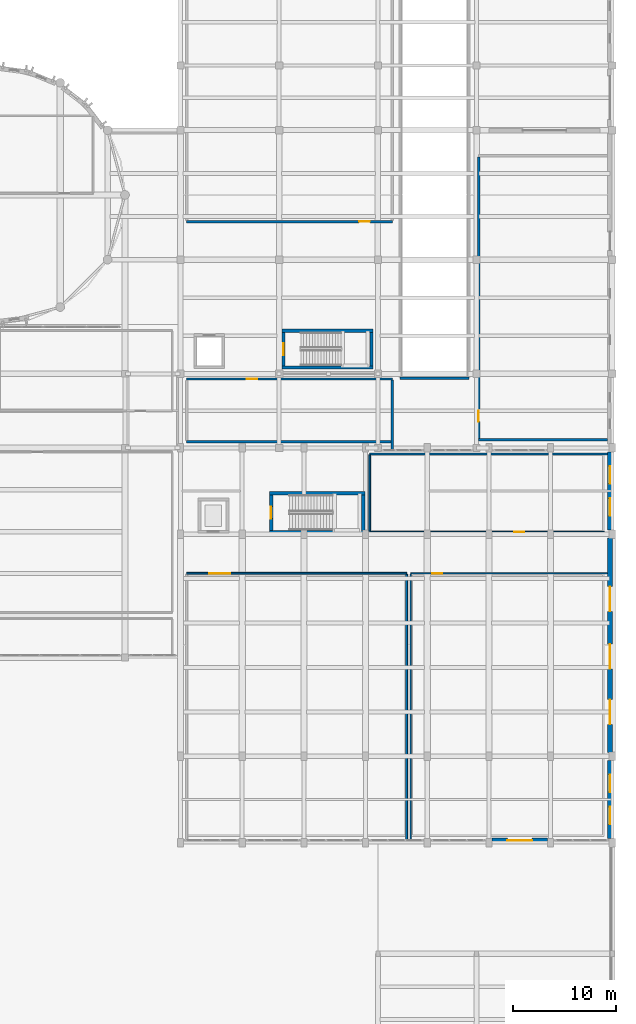
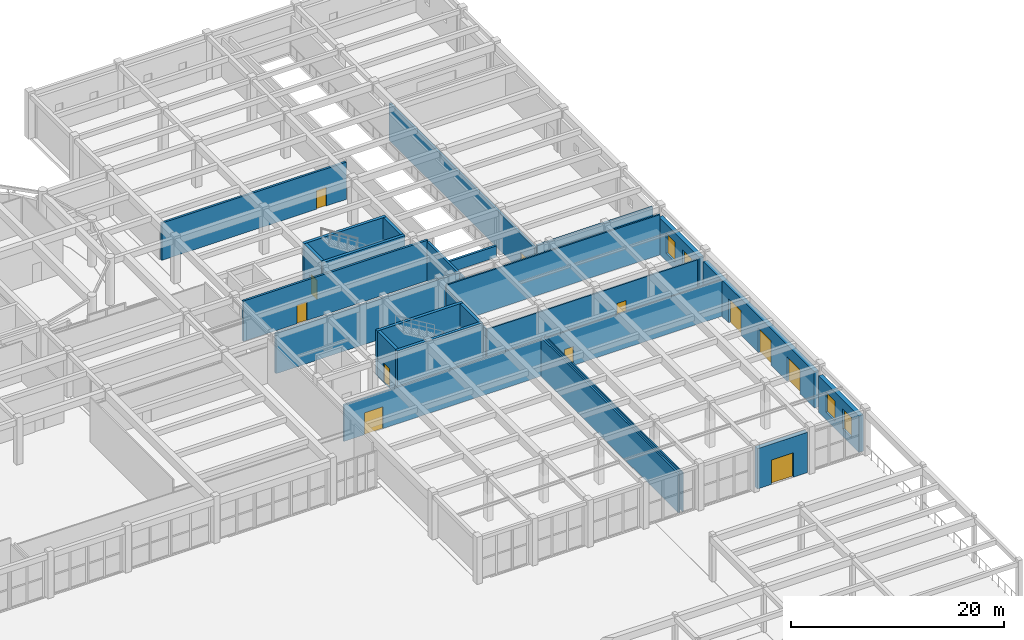
# One storey, part 76 of 98: 26 walls, 12 doors, 4 windows, 16 openings.
"""IFC4 building model written with IfcOpenShell, lengths in metres."""

from ifc_helpers import new_model, si_unit, direction, frame, frame_2d, origin, place, context, subcontext, project, spatial, rectangle, extrude, material, layer, layer_set, type_object, element, fill, save


model = new_model("IFC4")

# Units and contexts
model_context = context("Model", 3, precision=1e-05, world=origin(), true_north=direction((0.0, 1.0)))
body_context = subcontext(model_context, "Body", "Model", "MODEL_VIEW")
ifc_project = project(units=[si_unit("LENGTHUNIT", "METRE"), si_unit("AREAUNIT", "SQUARE_METRE"), si_unit("VOLUMEUNIT", "CUBIC_METRE"), si_unit("PLANEANGLEUNIT", "RADIAN"), si_unit("MASSUNIT", "GRAM", prefix="KILO")], contexts=[model_context])

# Site, building, storey
site_placement = place(None, origin())
site = spatial("IfcSite", under=ifc_project, at=site_placement, CompositionType="ELEMENT")
building_placement = place(site_placement, origin())
building = spatial("IfcBuilding", under=site, at=building_placement, Name="Tarnavel Promenade Courthouse", CompositionType="ELEMENT")
storey_placement = place(building_placement, origin())
storey = spatial("IfcBuildingStorey", under=building, at=storey_placement, Name="L01", CompositionType="ELEMENT", Elevation=0.0)

# Wall
ifc_material_1 = material(Name="Acoustic Insulated Gypsum Stud Partition", Category="gypsum")
ifc_layer_1 = layer(ifc_material_1, 0.1650390625)
ifc_layer_set_1 = layer_set([ifc_layer_1], Name="Acoustic Insulated Gypsum Stud Partition")
wall_type_1 = type_object("IfcWallType", Name="Acoustic Insulated Gypsum Stud Partition WL-CHM-165 (165 mm)", PredefinedType="PARTITIONING", material=ifc_layer_set_1)
wall_1_placement = place(storey_placement, frame((138.39990234375, 66.60009765625, 0.0), z_axis=(0.0, 0.0, 1.0), x_axis=(1.0, 0.0, 0.0)))
element("IfcWall", 1, at=wall_1_placement, inside=storey, type_object=wall_type_1, Name="L01 Ceremonial Protocol and Robing Suite Partition 0203", PredefinedType="PARTITIONING", context=body_context, shape_type="SweptSolid", body=[
    extrude(rectangle(XDim=23.1259765625, YDim=0.1650390625, at=frame_2d((11.56298828125, 0.0))), origin(), (0.0, 0.0, 1.0), 4.6201171875),
])

# Wall, opening, door
wall_2_placement = place(storey_placement, frame((161.199951171875, 59.0, 0.0), z_axis=(0.0, 0.0, 1.0), x_axis=(-1.0, 0.0, 0.0)))
wall_2 = element("IfcWall", 2, at=wall_2_placement, inside=storey, type_object=wall_type_1, Name="L01 Ceremonial Protocol and Robing Suite Partition 0204", PredefinedType="PARTITIONING", context=body_context, shape_type="SweptSolid", body=[
    extrude(rectangle(XDim=22.800048828125, YDim=0.1650390625, at=frame_2d((11.39990234375, 0.0))), origin(), (0.0, 0.0, 1.0), 4.169921875),
])
opening_1_placement = place(wall_2_placement, frame((7.741943359375, 0.0, 0.0)))
opening_1 = element("IfcOpeningElement", 3, at=opening_1_placement, cuts=wall_2, Name="Opening ID-04", PredefinedType="OPENING", context=body_context, shape_type="SweptSolid", body=[
    extrude(rectangle(XDim=0.97998046875, YDim=2.199951171875, at=frame_2d((0.489990234375, 1.10009765625))), frame((0.0, 0.092529296875, 0.0), z_axis=(0.0, -1.0, 0.0), x_axis=(1.0, 0.0, 0.0)), (0.0, 0.0, 1.0), 0.18505859375),
])
ifc_material_2 = material(Name="Solid Oak Judges Chambers Door")
door_type_1 = type_object("IfcDoorType", Name="Solid Oak Judges Chambers Door (DR-CHM-0980x2200)", OperationType="NOTDEFINED", PredefinedType="DOOR", material=ifc_material_2)
door_1_placement = place(opening_1_placement, origin())
door_1 = element("IfcDoor", 4, at=door_1_placement, inside=storey, type_object=door_type_1, Name="L01 Ceremonial Protocol and Robing Suite Door 0059", OperationType="SINGLE_SWING_LEFT", OverallHeight=2.199951171875, OverallWidth=0.97998046875, PredefinedType="DOOR", context=body_context, shape_type="SweptSolid", body=[
    extrude(rectangle(XDim=0.97998046875, YDim=2.199951171875, at=frame_2d((0.489990234375, 1.10009765625))), frame((0.0, 0.02490234375, 0.0), z_axis=(0.0, -1.0, 0.0), x_axis=(1.0, 0.0, 0.0)), (0.0, 0.0, 1.0), 0.050048828125),
])
fill(opening_1, door_1)

# Walls
wall_3_placement = place(storey_placement, frame((138.39990234375, 59.092529296875, 0.0), z_axis=(0.0, 0.0, 1.0), x_axis=(0.0, 1.0, 0.0)))
element("IfcWall", 5, at=wall_3_placement, inside=storey, type_object=wall_type_1, Name="L01 Ceremonial Protocol and Robing Suite Partition 0205", PredefinedType="PARTITIONING", context=body_context, shape_type="SweptSolid", body=[
    extrude(rectangle(XDim=7.4150390625, YDim=0.1650390625, at=frame_2d((3.70751953125, 0.0))), origin(), (0.0, 0.0, 1.0), 4.169921875),
])
ifc_material_3 = material(Name="Concrete C40/50", Category="concrete")
ifc_layer_2 = layer(ifc_material_3, 0.320068359375)
ifc_layer_set_2 = layer_set([ifc_layer_2], Name="Concrete C40/50")
wall_type_2 = type_object("IfcWallType", Name="Concrete C40/50 WL-SHR-320 (320 mm)", PredefinedType="SHEAR", material=ifc_layer_set_2)
for number, where, z_axis, x_axis, name in (
    (6, (129.860107421875, 78.580078125, 0.0), (0.0, 0.0, 1.0), (1.0, 0.0, 0.0), "L01 ST-06 Shear Core North Wall"),
    (7, (138.739990234375, 75.02001953125, 0.0), (0.0, 0.0, 1.0), (-1.0, 0.0, 0.0), "L01 ST-06 Shear Core South Wall"),
):
    element("IfcWall", number, at=place(storey_placement, frame(where, z_axis=z_axis, x_axis=x_axis)), inside=storey, type_object=wall_type_2, Name=name, PredefinedType="SHEAR", context=body_context, shape_type="SweptSolid", body=[
        extrude(rectangle(XDim=8.8798828125, YDim=0.320068359375, at=frame_2d((4.43994140625, 0.0))), origin(), (0.0, 0.0, 1.0), 5.139892578125),
    ])

# Wall, opening, door
wall_4_placement = place(storey_placement, frame((130.02001953125, 75.179931640625, 0.0), z_axis=(0.0, 0.0, 1.0), x_axis=(0.0, 1.0, 0.0)))
wall_4 = element("IfcWall", 8, at=wall_4_placement, inside=storey, type_object=wall_type_2, Name="L01 ST-06 Shear Core West Landing Wall", PredefinedType="SHEAR", context=body_context, shape_type="SweptSolid", body=[
    extrude(rectangle(XDim=3.239990234375, YDim=0.320068359375, at=frame_2d((1.6201171875, 0.0))), origin(), (0.0, 0.0, 1.0), 5.139892578125),
])
opening_2_placement = place(wall_4_placement, frame((1.044921875, 0.0, 0.0)))
opening_2 = element("IfcOpeningElement", 9, at=opening_2_placement, cuts=wall_4, Name="Opening FD-01", PredefinedType="OPENING", context=body_context, shape_type="SweptSolid", body=[
    extrude(rectangle(XDim=1.14990234375, YDim=2.199951171875, at=frame_2d((0.574951171875, 1.10009765625))), frame((0.0, 0.169921875, 0.0), z_axis=(0.0, -1.0, 0.0), x_axis=(1.0, 0.0, 0.0)), (0.0, 0.0, 1.0), 0.340087890625),
])
ifc_material_4 = material(Name="Steel Fire-Rated Stair Core Door", Category="steel")
door_type_2 = type_object("IfcDoorType", Name="Steel Fire-Rated Stair Core Door (DR-ST-1150x2200)", OperationType="NOTDEFINED", PredefinedType="DOOR", material=ifc_material_4)
door_2_placement = place(opening_2_placement, origin())
door_2 = element("IfcDoor", 10, at=door_2_placement, inside=storey, type_object=door_type_2, Name="L01 ST-06 Protected Exit Stair Door", OperationType="SINGLE_SWING_RIGHT", OverallHeight=2.199951171875, OverallWidth=1.14990234375, PredefinedType="DOOR", context=body_context, shape_type="SweptSolid", body=[
    extrude(rectangle(XDim=1.14990234375, YDim=2.199951171875, at=frame_2d((0.574951171875, 1.10009765625))), frame((0.0, 0.02490234375, 0.0), z_axis=(0.0, -1.0, 0.0), x_axis=(1.0, 0.0, 0.0)), (0.0, 0.0, 1.0), 0.050048828125),
])
fill(opening_2, door_2)

# Walls
wall_5_placement = place(storey_placement, frame((138.580078125, 78.419921875, 0.0), z_axis=(0.0, 0.0, 1.0), x_axis=(0.0, -1.0, 0.0)))
element("IfcWall", 11, at=wall_5_placement, inside=storey, type_object=wall_type_2, Name="L01 ST-06 Shear Core East Wall", PredefinedType="SHEAR", context=body_context, shape_type="SweptSolid", body=[
    extrude(rectangle(XDim=3.239990234375, YDim=0.320068359375, at=frame_2d((1.6201171875, 0.0))), origin(), (0.0, 0.0, 1.0), 5.139892578125),
])
for number, where, z_axis, x_axis, name in (
    (12, (128.659912109375, 62.780029296875, 0.0), (0.0, 0.0, 1.0), (1.0, 0.0, 0.0), "L01 ST-08 Shear Core North Wall"),
    (13, (137.93994140625, 59.02001953125, 0.0), (0.0, 0.0, 1.0), (-1.0, 0.0, 0.0), "L01 ST-08 Shear Core South Wall"),
):
    element("IfcWall", number, at=place(storey_placement, frame(where, z_axis=z_axis, x_axis=x_axis)), inside=storey, type_object=wall_type_2, Name=name, PredefinedType="SHEAR", context=body_context, shape_type="SweptSolid", body=[
        extrude(rectangle(XDim=9.280029296875, YDim=0.320068359375, at=frame_2d((4.64013671875, 0.0))), origin(), (0.0, 0.0, 1.0), 5.139892578125),
    ])

# Wall, opening, door
wall_6_placement = place(storey_placement, frame((128.820068359375, 59.179931640625, 0.0), z_axis=(0.0, 0.0, 1.0), x_axis=(0.0, 1.0, 0.0)))
wall_6 = element("IfcWall", 14, at=wall_6_placement, inside=storey, type_object=wall_type_2, Name="L01 ST-08 Shear Core West Landing Wall", PredefinedType="SHEAR", context=body_context, shape_type="SweptSolid", body=[
    extrude(rectangle(XDim=3.440185546875, YDim=0.320068359375, at=frame_2d((1.72021484375, 0.0))), origin(), (0.0, 0.0, 1.0), 5.139892578125),
])
opening_3_placement = place(wall_6_placement, frame((1.14501953125, 0.0, 0.0)))
opening_3 = element("IfcOpeningElement", 15, at=opening_3_placement, cuts=wall_6, Name="Opening FD-01", PredefinedType="OPENING", context=body_context, shape_type="SweptSolid", body=[
    extrude(rectangle(XDim=1.14990234375, YDim=2.199951171875, at=frame_2d((0.574951171875, 1.10009765625))), frame((0.0, 0.169921875, 0.0), z_axis=(0.0, -1.0, 0.0), x_axis=(1.0, 0.0, 0.0)), (0.0, 0.0, 1.0), 0.340087890625),
])
door_3_placement = place(opening_3_placement, origin())
door_3 = element("IfcDoor", 16, at=door_3_placement, inside=storey, type_object=door_type_2, Name="L01 ST-08 Protected Exit Stair Door", OperationType="SINGLE_SWING_LEFT", OverallHeight=2.199951171875, OverallWidth=1.14990234375, PredefinedType="DOOR", context=body_context, shape_type="SweptSolid", body=[
    extrude(rectangle(XDim=1.14990234375, YDim=2.199951171875, at=frame_2d((0.574951171875, 1.10009765625))), frame((0.0, 0.02490234375, 0.0), z_axis=(0.0, -1.0, 0.0), x_axis=(1.0, 0.0, 0.0)), (0.0, 0.0, 1.0), 0.050048828125),
])
fill(opening_3, door_3)

# Walls
wall_7_placement = place(storey_placement, frame((137.780029296875, 62.6201171875, 0.0), z_axis=(0.0, 0.0, 1.0), x_axis=(0.0, -1.0, 0.0)))
element("IfcWall", 17, at=wall_7_placement, inside=storey, type_object=wall_type_2, Name="L01 ST-08 Shear Core East Wall", PredefinedType="SHEAR", context=body_context, shape_type="SweptSolid", body=[
    extrude(rectangle(XDim=3.440185546875, YDim=0.320068359375, at=frame_2d((1.72021484375, 0.0))), origin(), (0.0, 0.0, 1.0), 5.139892578125),
])
ifc_material_5 = material(Name="Concrete Masonry Fire Compartment Wall", Category="masonry")
ifc_layer_3 = layer(ifc_material_5, 0.22998046875)
ifc_layer_set_3 = layer_set([ifc_layer_3], Name="Concrete Masonry Fire Compartment Wall")
wall_type_3 = type_object("IfcWallType", Name="Concrete Masonry Fire Compartment Wall WL-CMP-230 (230 mm)", PredefinedType="STANDARD", material=ifc_layer_set_3)
wall_8_placement = place(storey_placement, frame((148.050048828125, 73.9599609375, 0.0), z_axis=(0.0, 0.0, 1.0), x_axis=(-1.0, 0.0, 0.0)))
element("IfcWall", 18, at=wall_8_placement, inside=storey, type_object=wall_type_3, Name="L01 Vehicle Ramp Headwall Guard", PredefinedType="STANDARD", context=body_context, shape_type="SweptSolid", body=[
    extrude(rectangle(XDim=6.699951171875, YDim=0.22998046875, at=frame_2d((3.35009765625, 0.0))), origin(), (0.0, 0.0, 1.0), 1.300048828125),
])
wall_9_placement = place(storey_placement, frame((161.535888671875, 68.0, 0.0), z_axis=(0.0, 0.0, 1.0), x_axis=(-1.0, 0.0, 0.0)))
element("IfcWall", 19, at=wall_9_placement, inside=storey, type_object=wall_type_3, Name="L01 Custody Detainee Reception and Search Suite Partition 0207", PredefinedType="STANDARD", context=body_context, shape_type="SweptSolid", body=[
    extrude(rectangle(XDim=12.535888671875, YDim=0.22998046875, at=frame_2d((6.26806640625, 0.0))), origin(), (0.0, 0.0, 1.0), 4.6201171875),
])

# Wall, opening, door
wall_10_placement = place(storey_placement, frame((149.0, 68.125, 0.0), z_axis=(0.0, 0.0, 1.0), x_axis=(0.0, 1.0, 0.0)))
wall_10 = element("IfcWall", 20, at=wall_10_placement, inside=storey, type_object=wall_type_3, Name="L01 Custody Detainee Reception and Search Suite Partition 0208", PredefinedType="STANDARD", context=body_context, shape_type="SweptSolid", body=[
    extrude(rectangle(XDim=27.35009765625, YDim=0.22998046875, at=frame_2d((13.675048828125, 0.0))), origin(), (0.0, 0.0, 1.0), 4.27001953125),
])
opening_4_placement = place(wall_10_placement, frame((1.6298828125, 0.0, 0.0)))
opening_4 = element("IfcOpeningElement", 21, at=opening_4_placement, cuts=wall_10, Name="Opening SD-01", PredefinedType="OPENING", context=body_context, shape_type="SweptSolid", body=[
    extrude(rectangle(XDim=1.050048828125, YDim=2.14990234375, at=frame_2d((0.52490234375, 1.074951171875))), frame((0.0, 0.125, 0.0), z_axis=(0.0, -1.0, 0.0), x_axis=(1.0, 0.0, 0.0)), (0.0, 0.0, 1.0), 0.25),
])
ifc_material_6 = material(Name="Reinforced Steel Custody Cell Security Door", Category="concrete")
door_type_3 = type_object("IfcDoorType", Name="Reinforced Steel Custody Cell Security Door (DR-CUS-1050x2150)", OperationType="NOTDEFINED", PredefinedType="DOOR", material=ifc_material_6)
door_4_placement = place(opening_4_placement, origin())
door_4 = element("IfcDoor", 22, at=door_4_placement, inside=storey, type_object=door_type_3, Name="L01 Custody Detainee Reception and Search Suite Door 0060", OperationType="SINGLE_SWING_RIGHT", OverallHeight=2.14990234375, OverallWidth=1.050048828125, PredefinedType="DOOR", context=body_context, shape_type="SweptSolid", body=[
    extrude(rectangle(XDim=1.050048828125, YDim=2.14990234375, at=frame_2d((0.52490234375, 1.074951171875))), frame((0.0, 0.02490234375, 0.0), z_axis=(0.0, -1.0, 0.0), x_axis=(1.0, 0.0, 0.0)), (0.0, 0.0, 1.0), 0.050048828125),
])
fill(opening_4, door_4)

wall_11_placement = place(storey_placement, frame((120.60009765625, 73.89990234375, 0.0), z_axis=(0.0, 0.0, 1.0), x_axis=(1.0, 0.0, 0.0)))
wall_11 = element("IfcWall", 23, at=wall_11_placement, inside=storey, type_object=wall_type_3, Name="L01 Custody Suite Intake Processing Partition 0209", PredefinedType="STANDARD", context=body_context, shape_type="SweptSolid", body=[
    extrude(rectangle(XDim=20.0, YDim=0.22998046875, at=frame_2d((10.0, 0.0))), origin(), (0.0, 0.0, 1.0), 4.6201171875),
])
opening_5_placement = place(wall_11_placement, frame((5.824951171875, 0.0, 0.0)))
opening_5 = element("IfcOpeningElement", 24, at=opening_5_placement, cuts=wall_11, Name="Opening SD-01", PredefinedType="OPENING", context=body_context, shape_type="SweptSolid", body=[
    extrude(rectangle(XDim=1.050048828125, YDim=2.14990234375, at=frame_2d((0.52490234375, 1.074951171875))), frame((0.0, 0.125, 0.0), z_axis=(0.0, -1.0, 0.0), x_axis=(1.0, 0.0, 0.0)), (0.0, 0.0, 1.0), 0.25),
])
door_5_placement = place(opening_5_placement, origin())
door_5 = element("IfcDoor", 25, at=door_5_placement, inside=storey, type_object=door_type_3, Name="L01 Custody Suite Intake Processing Door 0061", OperationType="SINGLE_SWING_LEFT", OverallHeight=2.14990234375, OverallWidth=1.050048828125, PredefinedType="DOOR", context=body_context, shape_type="SweptSolid", body=[
    extrude(rectangle(XDim=1.050048828125, YDim=2.14990234375, at=frame_2d((0.52490234375, 1.074951171875))), frame((0.0, 0.02490234375, 0.0), z_axis=(0.0, -1.0, 0.0), x_axis=(1.0, 0.0, 0.0)), (0.0, 0.0, 1.0), 0.050048828125),
])
fill(opening_5, door_5)

# Walls
wall_12_placement = place(storey_placement, frame((140.60009765625, 67.800048828125, 0.0), z_axis=(0.0, 0.0, 1.0), x_axis=(-1.0, 0.0, 0.0)))
element("IfcWall", 26, at=wall_12_placement, inside=storey, type_object=wall_type_3, Name="L01 Custody Suite Intake Processing Partition 0210", PredefinedType="STANDARD", context=body_context, shape_type="SweptSolid", body=[
    extrude(rectangle(XDim=20.0, YDim=0.22998046875, at=frame_2d((10.0, 0.0))), origin(), (0.0, 0.0, 1.0), 4.6201171875),
])
wall_13_placement = place(storey_placement, frame((140.60009765625, 73.77490234375, 0.0), z_axis=(0.0, 0.0, 1.0), x_axis=(0.0, -1.0, 0.0)))
element("IfcWall", 27, at=wall_13_placement, inside=storey, type_object=wall_type_3, Name="L01 Custody Suite Intake Processing Partition 0212", PredefinedType="STANDARD", context=body_context, shape_type="SweptSolid", body=[
    extrude(rectangle(XDim=6.724853515625, YDim=0.22998046875, at=frame_2d((3.3623046875, 0.0))), origin(), (0.0, 0.0, 1.0), 4.469970703125),
])

# Wall, opening, door
wall_14_placement = place(storey_placement, frame((140.60009765625, 89.199951171875, 0.0), z_axis=(0.0, 0.0, 1.0), x_axis=(-1.0, 0.0, 0.0)))
wall_14 = element("IfcWall", 28, at=wall_14_placement, inside=storey, type_object=wall_type_3, Name="L01 Custody Medical Screening and Marshals' Station Partition 0213", PredefinedType="STANDARD", context=body_context, shape_type="SweptSolid", body=[
    extrude(rectangle(XDim=20.0, YDim=0.22998046875, at=frame_2d((10.0, 0.0))), origin(), (0.0, 0.0, 1.0), 4.27001953125),
])
opening_6_placement = place(wall_14_placement, frame((2.175048828125, 0.0, 0.0)))
opening_6 = element("IfcOpeningElement", 29, at=opening_6_placement, cuts=wall_14, Name="Opening SD-01", PredefinedType="OPENING", context=body_context, shape_type="SweptSolid", body=[
    extrude(rectangle(XDim=1.050048828125, YDim=2.14990234375, at=frame_2d((0.52490234375, 1.074951171875))), frame((0.0, 0.125, 0.0), z_axis=(0.0, -1.0, 0.0), x_axis=(1.0, 0.0, 0.0)), (0.0, 0.0, 1.0), 0.25),
])
door_6_placement = place(opening_6_placement, origin())
door_6 = element("IfcDoor", 30, at=door_6_placement, inside=storey, type_object=door_type_3, Name="L01 Custody Medical Screening and Marshals' Station Door 0062", OperationType="SINGLE_SWING_RIGHT", OverallHeight=2.14990234375, OverallWidth=1.050048828125, PredefinedType="DOOR", context=body_context, shape_type="SweptSolid", body=[
    extrude(rectangle(XDim=1.050048828125, YDim=2.14990234375, at=frame_2d((0.52490234375, 1.074951171875))), frame((0.0, 0.02490234375, 0.0), z_axis=(0.0, -1.0, 0.0), x_axis=(1.0, 0.0, 0.0)), (0.0, 0.0, 1.0), 0.050048828125),
])
fill(opening_6, door_6)

ifc_material_7 = material(Name="Double-Stud Acoustic Courtroom Partition Assembly", Category="gypsum")
ifc_layer_4 = layer(ifc_material_7, 0.18505859375)
ifc_layer_set_4 = layer_set([ifc_layer_4], Name="Double-Stud Acoustic Courtroom Partition Assembly")
wall_type_4 = type_object("IfcWallType", Name="Double-Stud Acoustic Courtroom Partition Assembly WL-CRT-185 (185 mm)", PredefinedType="PARTITIONING", material=ifc_layer_set_4)
wall_15_placement = place(storey_placement, frame((120.60009765625, 55.0, 0.0), z_axis=(0.0, 0.0, 1.0), x_axis=(1.0, 0.0, 0.0)))
wall_15 = element("IfcWall", 31, at=wall_15_placement, inside=storey, type_object=wall_type_4, Name="L01 Constitutional Hearing Courtroom Partition 0198", PredefinedType="PARTITIONING", context=body_context, shape_type="SweptSolid", body=[
    extrude(rectangle(XDim=21.39990234375, YDim=0.18505859375, at=frame_2d((10.699951171875, 0.0))), origin(), (0.0, 0.0, 1.0), 4.169921875),
])
opening_7_placement = place(wall_15_placement, frame((2.219970703125, 0.0, 0.0)))
opening_7 = element("IfcOpeningElement", 32, at=opening_7_placement, cuts=wall_15, Name="Opening ID-01", PredefinedType="OPENING", context=body_context, shape_type="SweptSolid", body=[
    extrude(rectangle(XDim=2.0, YDim=2.5, at=frame_2d((1.0, 1.25))), frame((0.0, 0.1025390625, 0.0), z_axis=(0.0, -1.0, 0.0), x_axis=(1.0, 0.0, 0.0)), (0.0, 0.0, 1.0), 0.205078125),
])
ifc_material_8 = material(Name="Solid Oak Acoustic Courtroom Double Door")
door_type_4 = type_object("IfcDoorType", Name="Solid Oak Acoustic Courtroom Double Door (DR-CRT-2000x2500)", OperationType="NOTDEFINED", PredefinedType="DOOR", material=ifc_material_8)
door_7_placement = place(opening_7_placement, origin())
door_7 = element("IfcDoor", 33, at=door_7_placement, inside=storey, type_object=door_type_4, Name="L01 Constitutional Hearing Courtroom Door 0057", OperationType="DOUBLE_DOOR_SINGLE_SWING", OverallHeight=2.5, OverallWidth=2.0, PredefinedType="DOOR", context=body_context, shape_type="SweptSolid", body=[
    extrude(rectangle(XDim=2.0, YDim=2.5, at=frame_2d((1.0, 1.25))), frame((0.0, 0.02490234375, 0.0), z_axis=(0.0, -1.0, 0.0), x_axis=(1.0, 0.0, 0.0)), (0.0, 0.0, 1.0), 0.050048828125),
])
fill(opening_7, door_7)

# Wall
wall_16_placement = place(storey_placement, frame((142.0, 54.8974609375, 0.0), z_axis=(0.0, 0.0, 1.0), x_axis=(0.0, -1.0, 0.0)))
element("IfcWall", 34, at=wall_16_placement, inside=storey, type_object=wall_type_4, Name="L01 Constitutional Hearing Courtroom Partition 0200", PredefinedType="PARTITIONING", context=body_context, shape_type="SweptSolid", body=[
    extrude(rectangle(XDim=25.787353515625, YDim=0.18505859375, at=frame_2d((12.8935546875, 0.0))), origin(), (0.0, 0.0, 1.0), 4.469970703125),
])

# Wall, opening, door
ifc_material_9 = material(Name="Limestone Ashlar Faced Insulated Brick Masonry", Category="masonry")
ifc_layer_5 = layer(ifc_material_9, 0.47998046875)
ifc_layer_set_5 = layer_set([ifc_layer_5], Name="Limestone Ashlar Faced Insulated Brick Masonry")
wall_type_5 = type_object("IfcWallType", Name="Limestone Ashlar Faced Insulated Brick Masonry WL-EXT-480 (480 mm)", PredefinedType="STANDARD", material=ifc_layer_set_5)
wall_17_placement = place(storey_placement, frame((155.7080078125, 29.02001953125, 0.0), z_axis=(0.0, 0.0, 1.0), x_axis=(-1.0, 0.0, 0.0)))
wall_17 = element("IfcWall", 35, at=wall_17_placement, inside=storey, type_object=wall_type_5, Name="L01 Ceremonial Pavilion South Portico Portal Wall 0022", PredefinedType="STANDARD", context=body_context, shape_type="SweptSolid", body=[
    extrude(rectangle(XDim=5.416015625, YDim=0.47998046875, at=frame_2d((2.7080078125, 0.0))), origin(), (0.0, 0.0, 1.0), 4.6201171875),
])
opening_8_placement = place(wall_17_placement, frame((1.508056640625, 0.0, 0.0)))
opening_8 = element("IfcOpeningElement", 36, at=opening_8_placement, cuts=wall_17, Name="Opening ED-01", PredefinedType="OPENING", context=body_context, shape_type="SweptSolid", body=[
    extrude(rectangle(XDim=2.39990234375, YDim=2.800048828125, at=frame_2d((1.199951171875, 1.39990234375))), frame((0.0, 0.25, 0.0), z_axis=(0.0, -1.0, 0.0), x_axis=(1.0, 0.0, 0.0)), (0.0, 0.0, 1.0), 0.5),
])
ifc_material_10 = material(Name="Bronze-Clad Insulated Civic Portal Double Door")
door_type_5 = type_object("IfcDoorType", Name="Bronze-Clad Insulated Civic Portal Double Door (ED-PORTAL-2400x2800)", OperationType="NOTDEFINED", PredefinedType="DOOR", material=ifc_material_10)
door_8_placement = place(opening_8_placement, origin())
door_8 = element("IfcDoor", 37, at=door_8_placement, inside=storey, type_object=door_type_5, Name="South Ceremonial Portico Plinth Entrance Door", OperationType="DOUBLE_DOOR_SINGLE_SWING", OverallHeight=2.800048828125, OverallWidth=2.39990234375, PredefinedType="DOOR", context=body_context, shape_type="SweptSolid", body=[
    extrude(rectangle(XDim=2.39990234375, YDim=2.800048828125, at=frame_2d((1.199951171875, 1.39990234375))), frame((0.0, 0.02490234375, 0.0), z_axis=(0.0, -1.0, 0.0), x_axis=(1.0, 0.0, 0.0)), (0.0, 0.0, 1.0), 0.050048828125),
])
fill(opening_8, door_8)

# Wall, openings, windows
wall_18_placement = place(storey_placement, frame((161.760009765625, 36.80810546875, 0.0), z_axis=(0.0, 0.0, 1.0), x_axis=(0.0, -1.0, 0.0)))
wall_18 = element("IfcWall", 38, at=wall_18_placement, inside=storey, type_object=wall_type_5, Name="L01 Ceremonial Pavilion East Stone Facade 0381", PredefinedType="STANDARD", context=body_context, shape_type="SweptSolid", body=[
    extrude(rectangle(XDim=7.6162109375, YDim=0.47998046875, at=frame_2d((3.80810546875, 0.0))), origin(), (0.0, 0.0, 1.0), 4.169921875),
])
opening_9_placement = place(wall_18_placement, frame((1.383056640625, 0.0, 0.85009765625)))
opening_9 = element("IfcOpeningElement", 39, at=opening_9_placement, cuts=wall_18, Name="Opening W-01", PredefinedType="OPENING", context=body_context, shape_type="SweptSolid", body=[
    extrude(rectangle(XDim=1.699951171875, YDim=2.300048828125, at=frame_2d((0.85009765625, 1.14990234375))), frame((0.0, 0.25, 0.0), z_axis=(0.0, -1.0, 0.0), x_axis=(1.0, 0.0, 0.0)), (0.0, 0.0, 1.0), 0.5),
])
opening_10_placement = place(wall_18_placement, frame((4.532958984375, 0.0, 0.85009765625)))
opening_10 = element("IfcOpeningElement", 40, at=opening_10_placement, cuts=wall_18, Name="Opening W-01", PredefinedType="OPENING", context=body_context, shape_type="SweptSolid", body=[
    extrude(rectangle(XDim=1.699951171875, YDim=2.300048828125, at=frame_2d((0.85009765625, 1.14990234375))), frame((0.0, 0.25, 0.0), z_axis=(0.0, -1.0, 0.0), x_axis=(1.0, 0.0, 0.0)), (0.0, 0.0, 1.0), 0.5),
])
ifc_material_11 = material(Name="Triple Low-E Glazed Bronze-Clad Window Assembly")
window_type = type_object("IfcWindowType", Name="Triple-Glazed Bronze-Clad Timber-Aluminium WIN-CRT-1700x2300", PartitioningType="SINGLE_PANEL", PredefinedType="WINDOW", material=ifc_material_11)
window_1_placement = place(opening_9_placement, origin())
window_1 = element("IfcWindow", 41, at=window_1_placement, inside=storey, type_object=window_type, Name="L01 Exterior Window 0458", OverallHeight=2.300048828125, OverallWidth=1.699951171875, PartitioningType="SINGLE_PANEL", PredefinedType="WINDOW", context=body_context, shape_type="SweptSolid", body=[
    extrude(rectangle(XDim=1.699951171875, YDim=2.300048828125, at=frame_2d((0.85009765625, 1.14990234375))), frame((0.0, 0.030029296875, 0.0), z_axis=(0.0, -1.0, 0.0), x_axis=(1.0, 0.0, 0.0)), (0.0, 0.0, 1.0), 0.06005859375),
])
fill(opening_9, window_1)
window_2_placement = place(opening_10_placement, origin())
window_2 = element("IfcWindow", 42, at=window_2_placement, inside=storey, type_object=window_type, Name="L01 Exterior Window 0459", OverallHeight=2.300048828125, OverallWidth=1.699951171875, PartitioningType="SINGLE_PANEL", PredefinedType="WINDOW", context=body_context, shape_type="SweptSolid", body=[
    extrude(rectangle(XDim=1.699951171875, YDim=2.300048828125, at=frame_2d((0.85009765625, 1.14990234375))), frame((0.0, 0.030029296875, 0.0), z_axis=(0.0, -1.0, 0.0), x_axis=(1.0, 0.0, 0.0)), (0.0, 0.0, 1.0), 0.06005859375),
])
fill(opening_10, window_2)

# Wall, openings, doors
wall_19_placement = place(storey_placement, frame((161.760009765625, 58.407958984375, 0.0), z_axis=(0.0, 0.0, 1.0), x_axis=(0.0, -1.0, 0.0)))
wall_19 = element("IfcWall", 43, at=wall_19_placement, inside=storey, type_object=wall_type_5, Name="L01 Ceremonial Pavilion East Stone Facade 0382", PredefinedType="STANDARD", context=body_context, shape_type="SweptSolid", body=[
    extrude(rectangle(XDim=20.81591796875, YDim=0.47998046875, at=frame_2d((10.407958984375, 0.0))), origin(), (0.0, 0.0, 1.0), 4.169921875),
])
opening_11_placement = place(wall_19_placement, frame((4.7080078125, 0.0, 0.0)))
opening_11 = element("IfcOpeningElement", 44, at=opening_11_placement, cuts=wall_19, Name="Opening ED-01", PredefinedType="OPENING", context=body_context, shape_type="SweptSolid", body=[
    extrude(rectangle(XDim=2.39990234375, YDim=2.800048828125, at=frame_2d((1.199951171875, 1.39990234375))), frame((0.0, 0.25, 0.0), z_axis=(0.0, -1.0, 0.0), x_axis=(1.0, 0.0, 0.0)), (0.0, 0.0, 1.0), 0.5),
])
opening_12_placement = place(wall_19_placement, frame((10.30810546875, 0.0, 0.0)))
opening_12 = element("IfcOpeningElement", 45, at=opening_12_placement, cuts=wall_19, Name="Opening ED-01", PredefinedType="OPENING", context=body_context, shape_type="SweptSolid", body=[
    extrude(rectangle(XDim=2.39990234375, YDim=2.800048828125, at=frame_2d((1.199951171875, 1.39990234375))), frame((0.0, 0.25, 0.0), z_axis=(0.0, -1.0, 0.0), x_axis=(1.0, 0.0, 0.0)), (0.0, 0.0, 1.0), 0.5),
])
opening_13_placement = place(wall_19_placement, frame((15.7080078125, 0.0, 0.0)))
opening_13 = element("IfcOpeningElement", 46, at=opening_13_placement, cuts=wall_19, Name="Opening ED-01", PredefinedType="OPENING", context=body_context, shape_type="SweptSolid", body=[
    extrude(rectangle(XDim=2.39990234375, YDim=2.800048828125, at=frame_2d((1.199951171875, 1.39990234375))), frame((0.0, 0.25, 0.0), z_axis=(0.0, -1.0, 0.0), x_axis=(1.0, 0.0, 0.0)), (0.0, 0.0, 1.0), 0.5),
])
door_9_placement = place(opening_11_placement, origin())
door_9 = element("IfcDoor", 47, at=door_9_placement, inside=storey, type_object=door_type_5, Name="East Ceremonial Portico Entrance Door 1", OperationType="DOUBLE_DOOR_SINGLE_SWING", OverallHeight=2.800048828125, OverallWidth=2.39990234375, PredefinedType="DOOR", context=body_context, shape_type="SweptSolid", body=[
    extrude(rectangle(XDim=2.39990234375, YDim=2.800048828125, at=frame_2d((1.199951171875, 1.39990234375))), frame((0.0, 0.02490234375, 0.0), z_axis=(0.0, -1.0, 0.0), x_axis=(1.0, 0.0, 0.0)), (0.0, 0.0, 1.0), 0.050048828125),
])
fill(opening_11, door_9)
door_10_placement = place(opening_12_placement, origin())
door_10 = element("IfcDoor", 48, at=door_10_placement, inside=storey, type_object=door_type_5, Name="East Ceremonial Portico Entrance Door 2", OperationType="DOUBLE_DOOR_SINGLE_SWING", OverallHeight=2.800048828125, OverallWidth=2.39990234375, PredefinedType="DOOR", context=body_context, shape_type="SweptSolid", body=[
    extrude(rectangle(XDim=2.39990234375, YDim=2.800048828125, at=frame_2d((1.199951171875, 1.39990234375))), frame((0.0, 0.02490234375, 0.0), z_axis=(0.0, -1.0, 0.0), x_axis=(1.0, 0.0, 0.0)), (0.0, 0.0, 1.0), 0.050048828125),
])
fill(opening_12, door_10)
door_11_placement = place(opening_13_placement, origin())
door_11 = element("IfcDoor", 49, at=door_11_placement, inside=storey, type_object=door_type_5, Name="East Ceremonial Portico Entrance Door 3", OperationType="DOUBLE_DOOR_SINGLE_SWING", OverallHeight=2.800048828125, OverallWidth=2.39990234375, PredefinedType="DOOR", context=body_context, shape_type="SweptSolid", body=[
    extrude(rectangle(XDim=2.39990234375, YDim=2.800048828125, at=frame_2d((1.199951171875, 1.39990234375))), frame((0.0, 0.02490234375, 0.0), z_axis=(0.0, -1.0, 0.0), x_axis=(1.0, 0.0, 0.0)), (0.0, 0.0, 1.0), 0.050048828125),
])
fill(opening_13, door_11)

# Wall, openings, windows
wall_20_placement = place(storey_placement, frame((161.760009765625, 66.80810546875, 0.0), z_axis=(0.0, 0.0, 1.0), x_axis=(0.0, -1.0, 0.0)))
wall_20 = element("IfcWall", 50, at=wall_20_placement, inside=storey, type_object=wall_type_5, Name="L01 Ceremonial Pavilion East Stone Facade 0383", PredefinedType="STANDARD", context=body_context, shape_type="SweptSolid", body=[
    extrude(rectangle(XDim=7.6162109375, YDim=0.47998046875, at=frame_2d((3.80810546875, 0.0))), origin(), (0.0, 0.0, 1.0), 4.169921875),
])
opening_14_placement = place(wall_20_placement, frame((1.383056640625, 0.0, 0.85009765625)))
opening_14 = element("IfcOpeningElement", 51, at=opening_14_placement, cuts=wall_20, Name="Opening W-01", PredefinedType="OPENING", context=body_context, shape_type="SweptSolid", body=[
    extrude(rectangle(XDim=1.699951171875, YDim=2.300048828125, at=frame_2d((0.85009765625, 1.14990234375))), frame((0.0, 0.25, 0.0), z_axis=(0.0, -1.0, 0.0), x_axis=(1.0, 0.0, 0.0)), (0.0, 0.0, 1.0), 0.5),
])
opening_15_placement = place(wall_20_placement, frame((4.532958984375, 0.0, 0.85009765625)))
opening_15 = element("IfcOpeningElement", 52, at=opening_15_placement, cuts=wall_20, Name="Opening W-01", PredefinedType="OPENING", context=body_context, shape_type="SweptSolid", body=[
    extrude(rectangle(XDim=1.699951171875, YDim=2.300048828125, at=frame_2d((0.85009765625, 1.14990234375))), frame((0.0, 0.25, 0.0), z_axis=(0.0, -1.0, 0.0), x_axis=(1.0, 0.0, 0.0)), (0.0, 0.0, 1.0), 0.5),
])
window_3_placement = place(opening_14_placement, origin())
window_3 = element("IfcWindow", 53, at=window_3_placement, inside=storey, type_object=window_type, Name="L01 Exterior Window 0460", OverallHeight=2.300048828125, OverallWidth=1.699951171875, PartitioningType="SINGLE_PANEL", PredefinedType="WINDOW", context=body_context, shape_type="SweptSolid", body=[
    extrude(rectangle(XDim=1.699951171875, YDim=2.300048828125, at=frame_2d((0.85009765625, 1.14990234375))), frame((0.0, 0.030029296875, 0.0), z_axis=(0.0, -1.0, 0.0), x_axis=(1.0, 0.0, 0.0)), (0.0, 0.0, 1.0), 0.06005859375),
])
fill(opening_14, window_3)
window_4_placement = place(opening_15_placement, origin())
window_4 = element("IfcWindow", 54, at=window_4_placement, inside=storey, type_object=window_type, Name="L01 Exterior Window 0461", OverallHeight=2.300048828125, OverallWidth=1.699951171875, PartitioningType="SINGLE_PANEL", PredefinedType="WINDOW", context=body_context, shape_type="SweptSolid", body=[
    extrude(rectangle(XDim=1.699951171875, YDim=2.300048828125, at=frame_2d((0.85009765625, 1.14990234375))), frame((0.0, 0.030029296875, 0.0), z_axis=(0.0, -1.0, 0.0), x_axis=(1.0, 0.0, 0.0)), (0.0, 0.0, 1.0), 0.06005859375),
])
fill(opening_15, window_4)

# Wall, opening, door
ifc_material_12 = material(Name="Metal-Stud Acoustic Gypsum Partition", Category="gypsum")
ifc_layer_6 = layer(ifc_material_12, 0.135009765625)
ifc_layer_set_6 = layer_set([ifc_layer_6], Name="Metal-Stud Acoustic Gypsum Partition")
wall_type_6 = type_object("IfcWallType", Name="Metal-Stud Acoustic Gypsum Partition WL-OFF-135 (135 mm)", PredefinedType="PARTITIONING", material=ifc_layer_set_6)
wall_21_placement = place(storey_placement, frame((142.39990234375, 55.0, 0.0), z_axis=(0.0, 0.0, 1.0), x_axis=(1.0, 0.0, 0.0)))
wall_21 = element("IfcWall", 55, at=wall_21_placement, inside=storey, type_object=wall_type_6, Name="L01 East Ceremonial Entrance Foyer Partition 0201", PredefinedType="PARTITIONING", context=body_context, shape_type="SweptSolid", body=[
    extrude(rectangle(XDim=19.1259765625, YDim=0.135009765625, at=frame_2d((9.56298828125, 0.0))), origin(), (0.0, 0.0, 1.0), 4.169921875),
])
opening_16_placement = place(wall_21_placement, frame((2.09765625, 0.0, 0.0)))
opening_16 = element("IfcOpeningElement", 56, at=opening_16_placement, cuts=wall_21, Name="Opening ID-06", PredefinedType="OPENING", context=body_context, shape_type="SweptSolid", body=[
    extrude(rectangle(XDim=0.949951171875, YDim=2.14990234375, at=frame_2d((0.47509765625, 1.074951171875))), frame((0.0, 0.077392578125, 0.0), z_axis=(0.0, -1.0, 0.0), x_axis=(1.0, 0.0, 0.0)), (0.0, 0.0, 1.0), 0.155029296875),
])
ifc_material_13 = material(Name="Acoustic Timber Veneer Office Door", Category="wood")
door_type_6 = type_object("IfcDoorType", Name="Acoustic Timber Veneer Office Door (DR-OFF-0950x2150)", OperationType="NOTDEFINED", PredefinedType="DOOR", material=ifc_material_13)
door_12_placement = place(opening_16_placement, origin())
door_12 = element("IfcDoor", 57, at=door_12_placement, inside=storey, type_object=door_type_6, Name="L01 East Ceremonial Entrance Foyer Door 0058", OperationType="SINGLE_SWING_RIGHT", OverallHeight=2.14990234375, OverallWidth=0.949951171875, PredefinedType="DOOR", context=body_context, shape_type="SweptSolid", body=[
    extrude(rectangle(XDim=0.949951171875, YDim=2.14990234375, at=frame_2d((0.47509765625, 1.074951171875))), frame((0.0, 0.02490234375, 0.0), z_axis=(0.0, -1.0, 0.0), x_axis=(1.0, 0.0, 0.0)), (0.0, 0.0, 1.0), 0.050048828125),
])
fill(opening_16, door_12)

# Wall
wall_22_placement = place(storey_placement, frame((142.39990234375, 29.110107421875, 0.0), z_axis=(0.0, 0.0, 1.0), x_axis=(0.0, 1.0, 0.0)))
element("IfcWall", 58, at=wall_22_placement, inside=storey, type_object=wall_type_6, Name="L01 East Ceremonial Entrance Foyer Partition 0202", PredefinedType="PARTITIONING", context=body_context, shape_type="SweptSolid", body=[
    extrude(rectangle(XDim=25.8125, YDim=0.135009765625, at=frame_2d((12.90625, 0.0))), origin(), (0.0, 0.0, 1.0), 4.469970703125),
])

save(model, "model.ifc")
